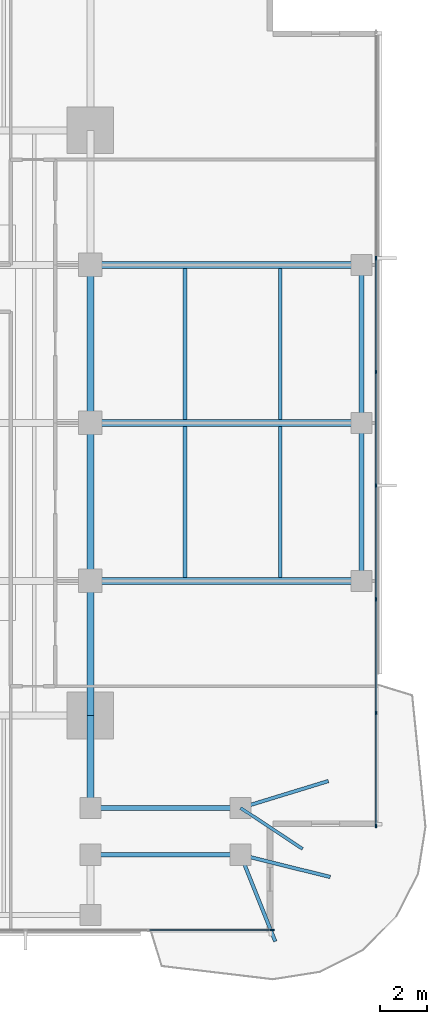
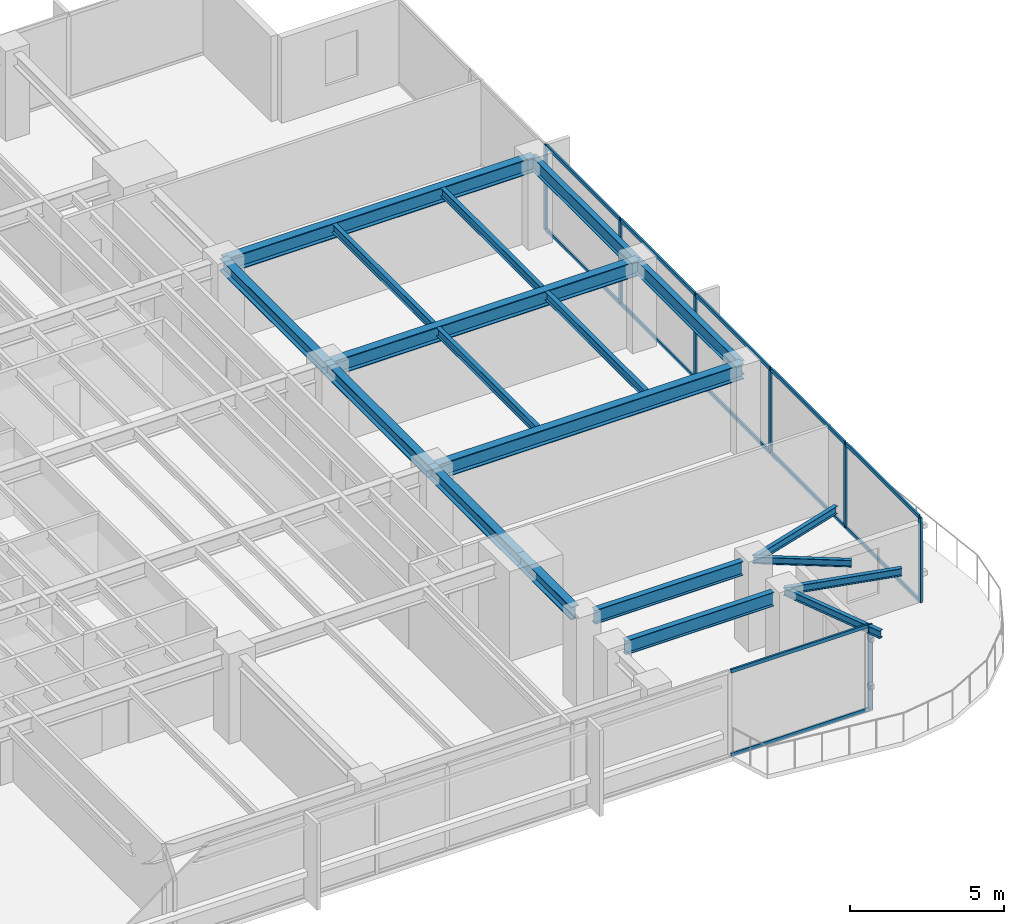
# One storey, part 4 of 14: 19 beams, 19 members, 2 elements without a shape of their own.
"""IFC4 building model written with IfcOpenShell, lengths in metres."""

from ifc_helpers import new_model, si_unit, direction, frame, origin, origin_2d, place, context, subcontext, project, spatial, rectangle, i_section, extrude, material, layer, layer_set, material_profile, profile_set, type_object, element, aggregate, save


model = new_model("IFC4")

# Units and contexts
model_context = context("Model", 3, precision=1e-05, world=origin(), true_north=direction((0.0, 1.0)))
body_context = subcontext(model_context, "Body", "Model", "MODEL_VIEW")
ifc_project = project(units=[si_unit("LENGTHUNIT", "METRE"), si_unit("AREAUNIT", "SQUARE_METRE"), si_unit("VOLUMEUNIT", "CUBIC_METRE"), si_unit("PLANEANGLEUNIT", "RADIAN"), si_unit("MASSUNIT", "GRAM", prefix="KILO")], contexts=[model_context])

# Site, building, storey
site_placement = place(None, origin())
site = spatial("IfcSite", under=ifc_project, at=site_placement, CompositionType="ELEMENT")
building_placement = place(site_placement, origin())
building = spatial("IfcBuilding", under=site, at=building_placement, Name="Kinhvarn Gate Tower", CompositionType="ELEMENT")
storey_placement = place(building_placement, frame((0.0, 0.0, 155.5)))
storey = spatial("IfcBuildingStorey", under=building, at=storey_placement, Name="L41", CompositionType="ELEMENT", Elevation=155.5)

# Curtain wall, member
ifc_material_1 = material(Name="Anodised aluminium AW-6063", Category="aluminium")
ifc_layer = layer(ifc_material_1, 0.179931640625)
ifc_layer_set = layer_set([ifc_layer], Name="Anodised aluminium AW-6063")
curtain_wall_type = type_object("IfcCurtainWallType", Name="CW-SYS-3", PredefinedType="NOTDEFINED", material=ifc_layer_set)
curtain_wall_1_placement = place(storey_placement, origin())
curtain_wall_1 = element("IfcCurtainWall", 1, at=curtain_wall_1_placement, inside=storey, type_object=curtain_wall_type, Name="Curtain Wall CW3 (L41)", PredefinedType="NOTDEFINED")
ifc_material_profile_1 = material_profile(ifc_material_1, rectangle(XDim=0.06494140625, YDim=0.159912109375, at=origin_2d()), Name="ALU 65x160")
ifc_profile_set_1 = profile_set([ifc_material_profile_1], Name="Anodised aluminium AW-6063")
member_type_1 = type_object("IfcMemberType", Name="CW-MUL-160", PredefinedType="MULLION", material=ifc_profile_set_1)
member_1_placement = place(storey_placement, frame((45.967529296875, 3.590087890625, 0.0), z_axis=(0.0, 0.0, 1.0), x_axis=(0.0, 1.0, 0.0)))
member_1 = element("IfcMember", 2, at=member_1_placement, type_object=member_type_1, Name="CW3 mullion 8", PredefinedType="MULLION", context=body_context, shape_type="SweptSolid", body=[
    extrude(rectangle(XDim=0.06494140625, YDim=0.159912109375, at=origin_2d()), origin(), (0.0, 0.0, 1.0), 3.3701171875),
])

# Curtain wall, members
curtain_wall_2_placement = place(storey_placement, origin())
curtain_wall_2 = element("IfcCurtainWall", 3, at=curtain_wall_2_placement, inside=storey, type_object=curtain_wall_type, Name="Curtain Wall CW3 (L41)", PredefinedType="NOTDEFINED")
member_2_placement = place(storey_placement, frame((50.409912109375, 8.032470703125, 0.0), z_axis=(0.0, 0.0, 1.0), x_axis=(-1.0, 0.0, 0.0)))
member_2 = element("IfcMember", 4, at=member_2_placement, type_object=member_type_1, Name="CW3 mullion 1", PredefinedType="MULLION", context=body_context, shape_type="SweptSolid", body=[
    extrude(rectangle(XDim=0.06494140625, YDim=0.159912109375, at=origin_2d()), origin(), (0.0, 0.0, 1.0), 3.3701171875),
])
member_3_placement = place(storey_placement, frame((50.409912109375, 12.857177734375, 0.0), z_axis=(0.0, 0.0, 1.0), x_axis=(-1.0, 0.0, 0.0)))
member_3 = element("IfcMember", 5, at=member_3_placement, type_object=member_type_1, Name="CW3 mullion 2", PredefinedType="MULLION", context=body_context, shape_type="SweptSolid", body=[
    extrude(rectangle(XDim=0.06494140625, YDim=0.159912109375, at=origin_2d()), origin(), (0.0, 0.0, 1.0), 3.3701171875),
])
member_4_placement = place(storey_placement, frame((50.409912109375, 17.71435546875, 0.0), z_axis=(0.0, 0.0, 1.0), x_axis=(-1.0, 0.0, 0.0)))
member_4 = element("IfcMember", 6, at=member_4_placement, type_object=member_type_1, Name="CW3 mullion 3", PredefinedType="MULLION", context=body_context, shape_type="SweptSolid", body=[
    extrude(rectangle(XDim=0.06494140625, YDim=0.159912109375, at=origin_2d()), origin(), (0.0, 0.0, 1.0), 3.3701171875),
])
member_5_placement = place(storey_placement, frame((50.409912109375, 22.571533203125, 0.0), z_axis=(0.0, 0.0, 1.0), x_axis=(-1.0, 0.0, 0.0)))
member_5 = element("IfcMember", 7, at=member_5_placement, type_object=member_type_1, Name="CW3 mullion 4", PredefinedType="MULLION", context=body_context, shape_type="SweptSolid", body=[
    extrude(rectangle(XDim=0.06494140625, YDim=0.159912109375, at=origin_2d()), origin(), (0.0, 0.0, 1.0), 3.3701171875),
])
member_6_placement = place(storey_placement, frame((50.409912109375, 27.428466796875, 0.0), z_axis=(0.0, 0.0, 1.0), x_axis=(-1.0, 0.0, 0.0)))
member_6 = element("IfcMember", 8, at=member_6_placement, type_object=member_type_1, Name="CW3 mullion 5", PredefinedType="MULLION", context=body_context, shape_type="SweptSolid", body=[
    extrude(rectangle(XDim=0.06494140625, YDim=0.159912109375, at=origin_2d()), origin(), (0.0, 0.0, 1.0), 3.3701171875),
])
member_7_placement = place(storey_placement, frame((50.409912109375, 32.28564453125, 0.0), z_axis=(0.0, 0.0, 1.0), x_axis=(-1.0, 0.0, 0.0)))
member_7 = element("IfcMember", 9, at=member_7_placement, type_object=member_type_1, Name="CW3 mullion 6", PredefinedType="MULLION", context=body_context, shape_type="SweptSolid", body=[
    extrude(rectangle(XDim=0.06494140625, YDim=0.159912109375, at=origin_2d()), origin(), (0.0, 0.0, 1.0), 3.3701171875),
])

# Member
ifc_material_profile_2 = material_profile(ifc_material_1, rectangle(XDim=0.070068359375, YDim=0.139892578125, at=origin_2d()), Name="ALU 70x140")
ifc_profile_set_2 = profile_set([ifc_material_profile_2], Name="Anodised aluminium AW-6063")
member_type_2 = type_object("IfcMemberType", Name="CW-TRN-140", PredefinedType="USERDEFINED", material=ifc_profile_set_2)
member_8_placement = place(storey_placement, frame((40.746826171875, 3.590087890625, 0.034912109375), z_axis=(1.0, 0.0, 0.0), x_axis=(0.0, 1.0, 0.0)))
member_8 = element("IfcMember", 10, at=member_8_placement, type_object=member_type_2, Name="CW3 transom 7.1", ObjectType="TRANSOM", PredefinedType="USERDEFINED", context=body_context, shape_type="SweptSolid", body=[
    extrude(rectangle(XDim=0.070068359375, YDim=0.139892578125, at=origin_2d()), origin(), (0.0, 0.0, 1.0), 5.188232421875),
])

member_9_placement = place(storey_placement, frame((40.746826171875, 3.590087890625, 3.3349609375), z_axis=(1.0, 0.0, 0.0), x_axis=(0.0, 1.0, 0.0)))
member_9 = element("IfcMember", 11, at=member_9_placement, type_object=member_type_2, Name="CW3 transom 7.2", ObjectType="TRANSOM", PredefinedType="USERDEFINED", context=body_context, shape_type="SweptSolid", body=[
    extrude(rectangle(XDim=0.070068359375, YDim=0.139892578125, at=origin_2d()), origin(), (0.0, 0.0, 1.0), 5.188232421875),
])

aggregate(curtain_wall_1, [member_1, member_8, member_9])

member_10_placement = place(storey_placement, frame((50.409912109375, 8.06494140625, 0.034912109375), z_axis=(0.0, 1.0, 0.0), x_axis=(-1.0, 0.0, 0.0)))
member_10 = element("IfcMember", 12, at=member_10_placement, type_object=member_type_2, Name="CW3 transom 1.1", ObjectType="TRANSOM", PredefinedType="USERDEFINED", context=body_context, shape_type="SweptSolid", body=[
    extrude(rectangle(XDim=0.070068359375, YDim=0.139892578125, at=origin_2d()), origin(), (0.0, 0.0, 1.0), 4.759765625),
])

member_11_placement = place(storey_placement, frame((50.409912109375, 8.06494140625, 3.3349609375), z_axis=(0.0, 1.0, 0.0), x_axis=(-1.0, 0.0, 0.0)))
member_11 = element("IfcMember", 13, at=member_11_placement, type_object=member_type_2, Name="CW3 transom 1.2", ObjectType="TRANSOM", PredefinedType="USERDEFINED", context=body_context, shape_type="SweptSolid", body=[
    extrude(rectangle(XDim=0.070068359375, YDim=0.139892578125, at=origin_2d()), origin(), (0.0, 0.0, 1.0), 4.759765625),
])

member_12_placement = place(storey_placement, frame((50.409912109375, 12.8896484375, 0.034912109375), z_axis=(0.0, 1.0, 0.0), x_axis=(-1.0, 0.0, 0.0)))
member_12 = element("IfcMember", 14, at=member_12_placement, type_object=member_type_2, Name="CW3 transom 2.1", ObjectType="TRANSOM", PredefinedType="USERDEFINED", context=body_context, shape_type="SweptSolid", body=[
    extrude(rectangle(XDim=0.070068359375, YDim=0.139892578125, at=origin_2d()), origin(), (0.0, 0.0, 1.0), 4.792236328125),
])

member_13_placement = place(storey_placement, frame((50.409912109375, 12.8896484375, 3.3349609375), z_axis=(0.0, 1.0, 0.0), x_axis=(-1.0, 0.0, 0.0)))
member_13 = element("IfcMember", 15, at=member_13_placement, type_object=member_type_2, Name="CW3 transom 2.2", ObjectType="TRANSOM", PredefinedType="USERDEFINED", context=body_context, shape_type="SweptSolid", body=[
    extrude(rectangle(XDim=0.070068359375, YDim=0.139892578125, at=origin_2d()), origin(), (0.0, 0.0, 1.0), 4.792236328125),
])

member_14_placement = place(storey_placement, frame((50.409912109375, 17.746826171875, 0.034912109375), z_axis=(0.0, 1.0, 0.0), x_axis=(-1.0, 0.0, 0.0)))
member_14 = element("IfcMember", 16, at=member_14_placement, type_object=member_type_2, Name="CW3 transom 3.1", ObjectType="TRANSOM", PredefinedType="USERDEFINED", context=body_context, shape_type="SweptSolid", body=[
    extrude(rectangle(XDim=0.070068359375, YDim=0.139892578125, at=origin_2d()), origin(), (0.0, 0.0, 1.0), 4.7919921875),
])

member_15_placement = place(storey_placement, frame((50.409912109375, 17.746826171875, 3.3349609375), z_axis=(0.0, 1.0, 0.0), x_axis=(-1.0, 0.0, 0.0)))
member_15 = element("IfcMember", 17, at=member_15_placement, type_object=member_type_2, Name="CW3 transom 3.2", ObjectType="TRANSOM", PredefinedType="USERDEFINED", context=body_context, shape_type="SweptSolid", body=[
    extrude(rectangle(XDim=0.070068359375, YDim=0.139892578125, at=origin_2d()), origin(), (0.0, 0.0, 1.0), 4.7919921875),
])

member_16_placement = place(storey_placement, frame((50.409912109375, 22.60400390625, 0.034912109375), z_axis=(0.0, 1.0, 0.0), x_axis=(-1.0, 0.0, 0.0)))
member_16 = element("IfcMember", 18, at=member_16_placement, type_object=member_type_2, Name="CW3 transom 4.1", ObjectType="TRANSOM", PredefinedType="USERDEFINED", context=body_context, shape_type="SweptSolid", body=[
    extrude(rectangle(XDim=0.070068359375, YDim=0.139892578125, at=origin_2d()), origin(), (0.0, 0.0, 1.0), 4.7919921875),
])

member_17_placement = place(storey_placement, frame((50.409912109375, 22.60400390625, 3.3349609375), z_axis=(0.0, 1.0, 0.0), x_axis=(-1.0, 0.0, 0.0)))
member_17 = element("IfcMember", 19, at=member_17_placement, type_object=member_type_2, Name="CW3 transom 4.2", ObjectType="TRANSOM", PredefinedType="USERDEFINED", context=body_context, shape_type="SweptSolid", body=[
    extrude(rectangle(XDim=0.070068359375, YDim=0.139892578125, at=origin_2d()), origin(), (0.0, 0.0, 1.0), 4.7919921875),
])

member_18_placement = place(storey_placement, frame((50.409912109375, 27.461181640625, 0.034912109375), z_axis=(0.0, 1.0, 0.0), x_axis=(-1.0, 0.0, 0.0)))
member_18 = element("IfcMember", 20, at=member_18_placement, type_object=member_type_2, Name="CW3 transom 5.1", ObjectType="TRANSOM", PredefinedType="USERDEFINED", context=body_context, shape_type="SweptSolid", body=[
    extrude(rectangle(XDim=0.070068359375, YDim=0.139892578125, at=origin_2d()), origin(), (0.0, 0.0, 1.0), 4.7919921875),
])

member_19_placement = place(storey_placement, frame((50.409912109375, 27.461181640625, 3.3349609375), z_axis=(0.0, 1.0, 0.0), x_axis=(-1.0, 0.0, 0.0)))
member_19 = element("IfcMember", 21, at=member_19_placement, type_object=member_type_2, Name="CW3 transom 5.2", ObjectType="TRANSOM", PredefinedType="USERDEFINED", context=body_context, shape_type="SweptSolid", body=[
    extrude(rectangle(XDim=0.070068359375, YDim=0.139892578125, at=origin_2d()), origin(), (0.0, 0.0, 1.0), 4.7919921875),
])

aggregate(curtain_wall_2, [member_2, member_3, member_4, member_5, member_6, member_7, member_10, member_11, member_12, member_13, member_14, member_15, member_16, member_17, member_18, member_19])

# Beams
ifc_material_2 = material(Name="Steel S355", Category="steel")
ifc_material_profile_3 = material_profile(ifc_material_2, i_section(OverallWidth=0.300048828125, OverallDepth=0.5, WebThickness=0.014404296875, FlangeThickness=0.028076171875, at=origin_2d()), Name="HEB 500")
ifc_profile_set_3 = profile_set([ifc_material_profile_3], Name="Steel S355")
beam_type_1 = type_object("IfcBeamType", Name="STL-HEB500", PredefinedType="BEAM", material=ifc_profile_set_3)
beam_1_placement = place(storey_placement, frame((38.199951171875, 9.235107421875, 3.1201171875), z_axis=(0.0, 1.0, 0.0), x_axis=(-1.0, 0.0, 0.0)))
element("IfcBeam", 22, at=beam_1_placement, inside=storey, type_object=beam_type_1, Name="Floor Beam PG-14 (L41 MCE-S-A2)", PredefinedType="BEAM", context=body_context, shape_type="SweptSolid", body=[
    extrude(i_section(OverallWidth=0.300048828125, OverallDepth=0.5, WebThickness=0.014404296875, FlangeThickness=0.028076171875, at=origin_2d()), origin(), (0.0, 0.0, 1.0), 3.514892578125),
])
beam_2_placement = place(storey_placement, frame((38.199951171875, 12.75, 3.1201171875), z_axis=(0.0, 1.0, 0.0), x_axis=(-1.0, 0.0, 0.0)))
element("IfcBeam", 23, at=beam_2_placement, inside=storey, type_object=beam_type_1, Name="Floor Beam PG-14 (L41 MG-E-12)", PredefinedType="BEAM", context=body_context, shape_type="SweptSolid", body=[
    extrude(i_section(OverallWidth=0.300048828125, OverallDepth=0.5, WebThickness=0.014404296875, FlangeThickness=0.028076171875, at=origin_2d()), origin(), (0.0, 0.0, 1.0), 5.75),
])
for number, where, z_axis, x_axis, name in (
    (24, (38.199951171875, 18.5, 3.1201171875), (0.0, 1.0, 0.0), (-1.0, 0.0, 0.0), "Floor Beam PG-14 (L41 MG-E-18)"),
    (25, (38.199951171875, 25.25, 3.1201171875), (0.0, 1.0, 0.0), (-1.0, 0.0, 0.0), "Floor Beam PG-14 (L41 MG-E-25)"),
):
    element("IfcBeam", number, at=place(storey_placement, frame(where, z_axis=z_axis, x_axis=x_axis)), inside=storey, type_object=beam_type_1, Name=name, PredefinedType="BEAM", context=body_context, shape_type="SweptSolid", body=[
        extrude(i_section(OverallWidth=0.300048828125, OverallDepth=0.5, WebThickness=0.014404296875, FlangeThickness=0.028076171875, at=origin_2d()), origin(), (0.0, 0.0, 1.0), 6.75),
    ])
ifc_material_profile_4 = material_profile(ifc_material_2, i_section(OverallWidth=0.300048828125, OverallDepth=0.60009765625, WebThickness=0.015380859375, FlangeThickness=0.030029296875, at=origin_2d()), Name="HEB 600")
ifc_profile_set_4 = profile_set([ifc_material_profile_4], Name="Steel S355")
beam_type_2 = type_object("IfcBeamType", Name="STL-HEB600", PredefinedType="BEAM", material=ifc_profile_set_4)
for number, where, z_axis, x_axis, name in (
    (26, (38.199951171875, 18.5, 3.070068359375), (1.0, 0.0, 0.0), (0.0, 1.0, 0.0), "Floor Beam PG-16 (L41 EW2-Y18)"),
    (27, (38.199951171875, 25.25, 3.070068359375), (1.0, 0.0, 0.0), (0.0, 1.0, 0.0), "Floor Beam PG-16 (L41 EW2-Y25)"),
    (28, (38.199951171875, 32.0, 3.070068359375), (1.0, 0.0, 0.0), (0.0, 1.0, 0.0), "Floor Beam PG-16 (L41 EW2-Y32)"),
):
    element("IfcBeam", number, at=place(storey_placement, frame(where, z_axis=z_axis, x_axis=x_axis)), inside=storey, type_object=beam_type_2, Name=name, PredefinedType="BEAM", context=body_context, shape_type="SweptSolid", body=[
        extrude(i_section(OverallWidth=0.300048828125, OverallDepth=0.60009765625, WebThickness=0.015380859375, FlangeThickness=0.030029296875, at=origin_2d()), origin(), (0.0, 0.0, 1.0), 11.580078125),
    ])
ifc_material_profile_5 = material_profile(ifc_material_2, i_section(OverallWidth=0.135009765625, OverallDepth=0.27001953125, WebThickness=0.006591796875, FlangeThickness=0.01025390625, at=origin_2d()), Name="IPE 270")
ifc_profile_set_5 = profile_set([ifc_material_profile_5], Name="Steel S355")
beam_type_3 = type_object("IfcBeamType", Name="STL-IPE270", PredefinedType="JOIST", material=ifc_profile_set_5)
beam_3_placement = place(storey_placement, frame((44.6201171875, 8.800048828125, 3.235107421875), z_axis=(0.834455271211, -0.5510756757, 0.0), x_axis=(0.5510756757, 0.834455271211, 0.0)))
element("IfcBeam", 29, at=beam_3_placement, inside=storey, type_object=beam_type_3, Name="Floor Joist SB-01 (L41 BAL-B3-L42)", PredefinedType="JOIST", context=body_context, shape_type="SweptSolid", body=[
    extrude(i_section(OverallWidth=0.135009765625, OverallDepth=0.27001953125, WebThickness=0.006591796875, FlangeThickness=0.01025390625, at=origin_2d()), origin(), (0.0, 0.0, 1.0), 3.175537109375),
])
ifc_material_profile_6 = material_profile(ifc_material_2, i_section(OverallWidth=0.14990234375, OverallDepth=0.300048828125, WebThickness=0.007080078125, FlangeThickness=0.0107421875, at=origin_2d()), Name="IPE 300")
ifc_profile_set_6 = profile_set([ifc_material_profile_6], Name="Steel S355")
beam_type_4 = type_object("IfcBeamType", Name="STL-IPE300", PredefinedType="JOIST", material=ifc_profile_set_6)
beam_4_placement = place(storey_placement, frame((44.6201171875, 6.800048828125, 3.219970703125), z_axis=(0.97058851083, -0.240744558911, 0.0), x_axis=(0.240744558911, 0.97058851083, 0.0)))
element("IfcBeam", 30, at=beam_4_placement, inside=storey, type_object=beam_type_4, Name="Floor Joist SB-02 (L41 BAL-B1-L42)", PredefinedType="JOIST", context=body_context, shape_type="SweptSolid", body=[
    extrude(i_section(OverallWidth=0.14990234375, OverallDepth=0.300048828125, WebThickness=0.007080078125, FlangeThickness=0.0107421875, at=origin_2d()), origin(), (0.0, 0.0, 1.0), 3.94580078125),
])
beam_5_placement = place(storey_placement, frame((44.6201171875, 6.800048828125, 3.219970703125), z_axis=(0.371390676354, -0.928476690885, 0.0), x_axis=(0.928476690885, 0.371390676354, 0.0)))
element("IfcBeam", 31, at=beam_5_placement, inside=storey, type_object=beam_type_4, Name="Floor Joist SB-02 (L41 BAL-B2-L42)", PredefinedType="JOIST", context=body_context, shape_type="SweptSolid", body=[
    extrude(i_section(OverallWidth=0.14990234375, OverallDepth=0.300048828125, WebThickness=0.007080078125, FlangeThickness=0.0107421875, at=origin_2d()), origin(), (0.0, 0.0, 1.0), 3.98486328125),
])
beam_6_placement = place(storey_placement, frame((44.6201171875, 8.800048828125, 3.219970703125), z_axis=(0.95606118681, 0.293167199862, 0.0), x_axis=(-0.293167199862, 0.95606118681, 0.0)))
element("IfcBeam", 32, at=beam_6_placement, inside=storey, type_object=beam_type_4, Name="Floor Joist SB-02 (L41 BAL-B5-L42)", PredefinedType="JOIST", context=body_context, shape_type="SweptSolid", body=[
    extrude(i_section(OverallWidth=0.14990234375, OverallDepth=0.300048828125, WebThickness=0.007080078125, FlangeThickness=0.0107421875, at=origin_2d()), origin(), (0.0, 0.0, 1.0), 3.92236328125),
])
ifc_material_profile_7 = material_profile(ifc_material_2, i_section(OverallWidth=0.159912109375, OverallDepth=0.330078125, WebThickness=0.007568359375, FlangeThickness=0.011474609375, at=origin_2d()), Name="IPE 330")
ifc_profile_set_7 = profile_set([ifc_material_profile_7], Name="Steel S355")
beam_type_5 = type_object("IfcBeamType", Name="STL-IPE330", PredefinedType="JOIST", material=ifc_profile_set_7)
for number, where, z_axis, x_axis, name in (
    (33, (42.25, 18.64990234375, 3.205078125), (0.0, 1.0, 0.0), (-1.0, 0.0, 0.0), "Floor Joist SB-03 (L41 JC-X422-1)"),
    (34, (42.25, 25.39990234375, 3.205078125), (0.0, 1.0, 0.0), (-1.0, 0.0, 0.0), "Floor Joist SB-03 (L41 JC-X422-2)"),
    (35, (46.31005859375, 18.64990234375, 3.205078125), (0.0, 1.0, 0.0), (-1.0, 0.0, 0.0), "Floor Joist SB-03 (L41 JC-X463-1)"),
    (36, (46.31005859375, 25.39990234375, 3.205078125), (0.0, 1.0, 0.0), (-1.0, 0.0, 0.0), "Floor Joist SB-03 (L41 JC-X463-2)"),
):
    element("IfcBeam", number, at=place(storey_placement, frame(where, z_axis=z_axis, x_axis=x_axis)), inside=storey, type_object=beam_type_5, Name=name, PredefinedType="JOIST", context=body_context, shape_type="SweptSolid", body=[
        extrude(i_section(OverallWidth=0.159912109375, OverallDepth=0.330078125, WebThickness=0.007568359375, FlangeThickness=0.011474609375, at=origin_2d()), origin(), (0.0, 0.0, 1.0), 6.4501953125),
    ])
ifc_material_profile_8 = material_profile(ifc_material_2, i_section(OverallWidth=0.2099609375, OverallDepth=0.550048828125, WebThickness=0.010986328125, FlangeThickness=0.01708984375, at=origin_2d()), Name="IPE 550")
ifc_profile_set_8 = profile_set([ifc_material_profile_8], Name="Steel S355")
beam_type_6 = type_object("IfcBeamType", Name="STL-IPE550", PredefinedType="SPANDREL", material=ifc_profile_set_8)
for number, where, z_axis, x_axis, name in (
    (37, (38.635009765625, 8.800048828125, 3.094970703125), (1.0, 0.0, 0.0), (0.0, 1.0, 0.0), "Floor Spandrel SB-08 (L41 SP-SE2)"),
    (38, (38.635009765625, 6.800048828125, 3.094970703125), (1.0, 0.0, 0.0), (0.0, 1.0, 0.0), "Floor Spandrel SB-08 (L41 SP-SE2-S)"),
):
    element("IfcBeam", number, at=place(storey_placement, frame(where, z_axis=z_axis, x_axis=x_axis)), inside=storey, type_object=beam_type_6, Name=name, PredefinedType="SPANDREL", context=body_context, shape_type="SweptSolid", body=[
        extrude(i_section(OverallWidth=0.2099609375, OverallDepth=0.550048828125, WebThickness=0.010986328125, FlangeThickness=0.01708984375, at=origin_2d()), origin(), (0.0, 0.0, 1.0), 5.550048828125),
    ])
for number, where, z_axis, x_axis, name in (
    (39, (49.780029296875, 18.5, 3.094970703125), (0.0, 1.0, 0.0), (-1.0, 0.0, 0.0), "Floor Spandrel SB-08 (L41 SP-E2)"),
    (40, (49.780029296875, 25.25, 3.094970703125), (0.0, 1.0, 0.0), (-1.0, 0.0, 0.0), "Floor Spandrel SB-08 (L41 SP-E3)"),
):
    element("IfcBeam", number, at=place(storey_placement, frame(where, z_axis=z_axis, x_axis=x_axis)), inside=storey, type_object=beam_type_6, Name=name, PredefinedType="SPANDREL", context=body_context, shape_type="SweptSolid", body=[
        extrude(i_section(OverallWidth=0.2099609375, OverallDepth=0.550048828125, WebThickness=0.010986328125, FlangeThickness=0.01708984375, at=origin_2d()), origin(), (0.0, 0.0, 1.0), 6.75),
    ])

save(model, "model.ifc")
